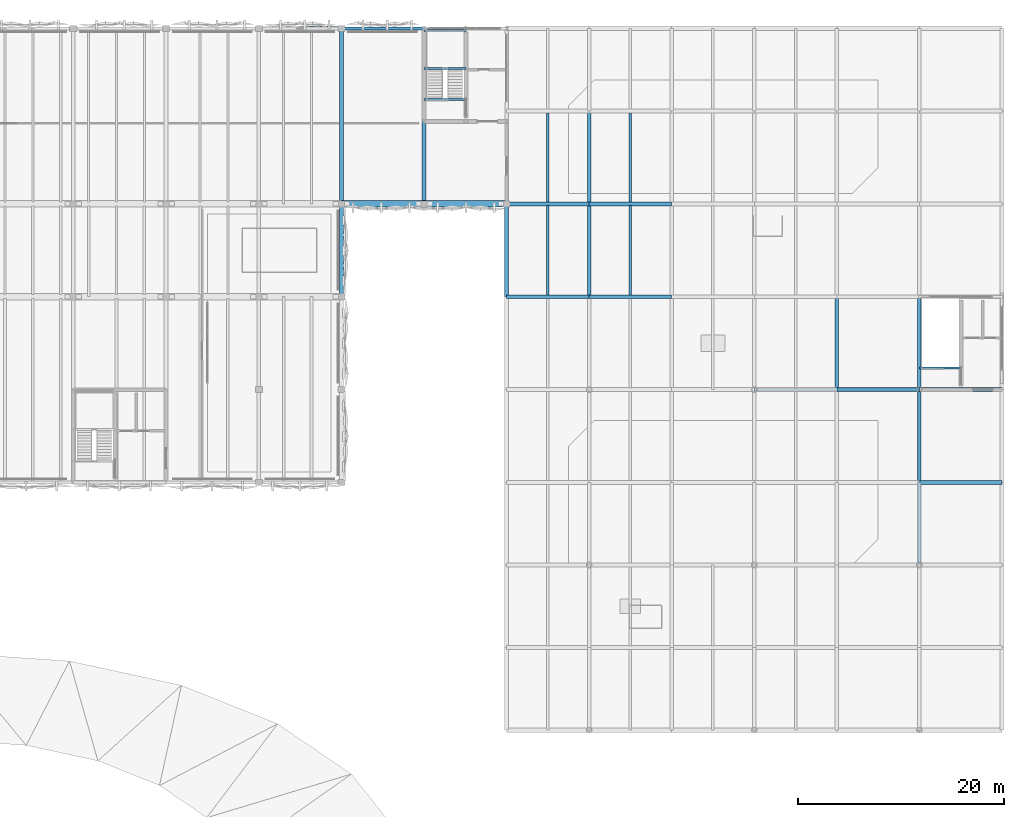
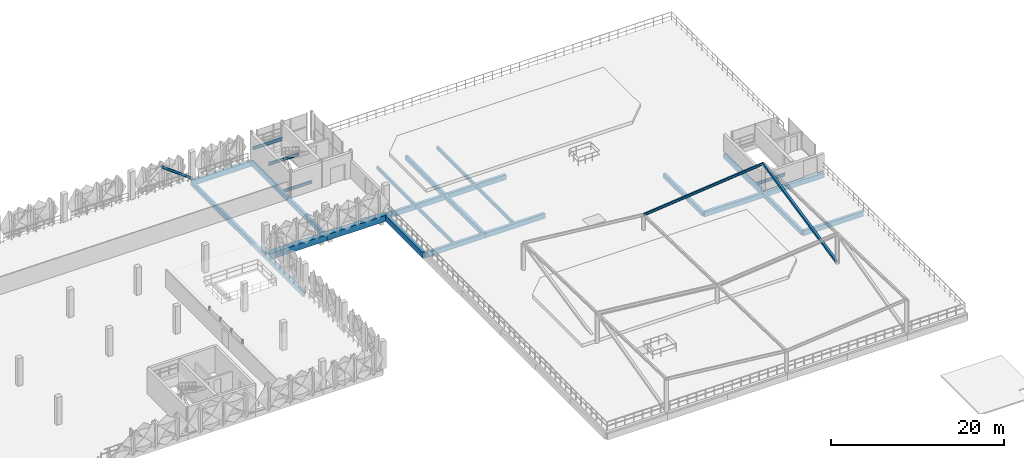
# One storey, part 15 of 52: 28 beams, 2 members.
"""IFC4 building model written with IfcOpenShell, lengths in metres."""

from ifc_helpers import new_model, si_unit, derived_unit, direction, frame, origin, origin_2d, place, context, subcontext, project, spatial, rectangle, hollow_rectangle, hollow_circle, i_section, extrude, material, material_profile, profile_set, type_object, element, save


model = new_model("IFC4")

# Units and contexts
model_context = context("Model", 3, precision=1e-05, world=origin(), true_north=direction((0.0, 1.0)))
body_context = subcontext(model_context, "Body", "Model", "MODEL_VIEW")
ifc_project = project(units=[si_unit("LENGTHUNIT", "METRE"), si_unit("AREAUNIT", "SQUARE_METRE"), si_unit("VOLUMEUNIT", "CUBIC_METRE"), si_unit("PLANEANGLEUNIT", "RADIAN"), si_unit("MASSUNIT", "GRAM", prefix="KILO"), si_unit("THERMODYNAMICTEMPERATUREUNIT", "KELVIN"), derived_unit("THERMALTRANSMITTANCEUNIT", [(si_unit("POWERUNIT", "WATT"), 1), (si_unit("AREAUNIT", "SQUARE_METRE"), -1), (si_unit("THERMODYNAMICTEMPERATUREUNIT", "KELVIN"), -1)])], contexts=[model_context])

# Site, building, storey
site_placement = place(None, origin())
site = spatial("IfcSite", under=ifc_project, at=site_placement, CompositionType="ELEMENT")
building_placement = place(site_placement, origin())
building = spatial("IfcBuilding", under=site, at=building_placement, Name="Haiyu Intermodal Mobility Hub", CompositionType="ELEMENT")
storey_placement = place(building_placement, frame((0.0, 0.0, 21.199951171875)))
storey = spatial("IfcBuildingStorey", under=building, at=storey_placement, Name="L05", CompositionType="ELEMENT", Elevation=21.199951171875)

# Beams
ifc_material_1 = material(Name="Concrete C40", Category="concrete")
ifc_material_profile_1 = material_profile(ifc_material_1, rectangle(XDim=0.35009765625, YDim=0.64990234375, at=origin_2d()), Name="RCB350x650")
ifc_profile_set_1 = profile_set([ifc_material_profile_1], Name="Concrete C40")
beam_type_1 = type_object("IfcBeamType", Name="BM-CB04", PredefinedType="BEAM", material=ifc_profile_set_1)
beam_1_placement = place(storey_placement, frame((146.0, 122.0, -0.599853515625), z_axis=(0.0, 1.0, 0.0), x_axis=(-1.0, 0.0, 0.0)))
element("IfcBeam", 1, at=beam_1_placement, inside=storey, type_object=beam_type_1, Name="BM-V4E-L05-040", PredefinedType="BEAM", context=body_context, shape_type="SweptSolid", body=[
    extrude(rectangle(XDim=0.35009765625, YDim=0.64990234375, at=origin_2d()), origin(), (0.0, 0.0, 1.0), 9.0),
])
for number, where, z_axis, x_axis, name in (
    (2, (146.0, 131.0, -0.599853515625), (0.0, 1.0, 0.0), (-1.0, 0.0, 0.0), "BM-V4E-L05-041"),
    (3, (154.0, 131.0, -0.599853515625), (0.0, 1.0, 0.0), (-1.0, 0.0, 0.0), "BM-V4E-L05-042"),
):
    element("IfcBeam", number, at=place(storey_placement, frame(where, z_axis=z_axis, x_axis=x_axis)), inside=storey, type_object=beam_type_1, Name=name, PredefinedType="BEAM", context=body_context, shape_type="SweptSolid", body=[
        extrude(rectangle(XDim=0.35009765625, YDim=0.64990234375, at=origin_2d()), origin(), (0.0, 0.0, 1.0), 17.0),
    ])
ifc_material_profile_2 = material_profile(ifc_material_1, rectangle(XDim=0.39990234375, YDim=0.800048828125, at=origin_2d()), Name="RCB400x800")
ifc_profile_set_2 = profile_set([ifc_material_profile_2], Name="Concrete C40")
beam_type_2 = type_object("IfcBeamType", Name="BM-CB05", PredefinedType="BEAM", material=ifc_profile_set_2)
beam_2_placement = place(storey_placement, frame((162.0, 122.0, -0.699951171875), z_axis=(0.0, 1.0, 0.0), x_axis=(-1.0, 0.0, 0.0)))
element("IfcBeam", 4, at=beam_2_placement, inside=storey, type_object=beam_type_2, Name="BM-V6T-L05-006", PredefinedType="BEAM", context=body_context, shape_type="SweptSolid", body=[
    extrude(rectangle(XDim=0.39990234375, YDim=0.800048828125, at=origin_2d()), origin(), (0.0, 0.0, 1.0), 9.0),
])
ifc_material_profile_3 = material_profile(ifc_material_1, rectangle(XDim=0.3798828125, YDim=0.679931640625, at=origin_2d()), Name="B380x680")
ifc_profile_set_3 = profile_set([ifc_material_profile_3], Name="Concrete C40")
beam_type_3 = type_object("IfcBeamType", Name="BM-CB15", PredefinedType="BEAM", material=ifc_profile_set_3)
for number, where, z_axis, x_axis, name in (
    (5, (202.0, 104.0, -0.639892578125), (1.0, 0.0, 0.0), (0.0, 1.0, 0.0), "BM-V6G-L05-024"),
    (6, (194.0, 113.0, -0.639892578125), (1.0, 0.0, 0.0), (0.0, 1.0, 0.0), "BM-V6G-L05-029"),
    (7, (202.0, 113.0, -0.639892578125), (1.0, 0.0, 0.0), (0.0, 1.0, 0.0), "BM-V6G-L05-030"),
    (8, (162.0, 122.0, -0.639892578125), (1.0, 0.0, 0.0), (0.0, 1.0, 0.0), "BM-V6G-L05-031"),
    (9, (170.0, 122.0, -0.639892578125), (1.0, 0.0, 0.0), (0.0, 1.0, 0.0), "BM-V6G-L05-032"),
    (10, (162.0, 131.0, -0.639892578125), (1.0, 0.0, 0.0), (0.0, 1.0, 0.0), "BM-V6G-L05-037"),
    (11, (170.0, 131.0, -0.639892578125), (1.0, 0.0, 0.0), (0.0, 1.0, 0.0), "BM-V6G-L05-038"),
):
    element("IfcBeam", number, at=place(storey_placement, frame(where, z_axis=z_axis, x_axis=x_axis)), inside=storey, type_object=beam_type_3, Name=name, PredefinedType="BEAM", context=body_context, shape_type="SweptSolid", body=[
        extrude(rectangle(XDim=0.3798828125, YDim=0.679931640625, at=origin_2d()), origin(), (0.0, 0.0, 1.0), 8.0),
    ])
ifc_material_profile_4 = material_profile(ifc_material_1, rectangle(XDim=0.360107421875, YDim=0.6201171875, at=origin_2d()), Name="B360x620")
ifc_profile_set_4 = profile_set([ifc_material_profile_4], Name="Concrete C40")
beam_type_4 = type_object("IfcBeamType", Name="BM-CB16", PredefinedType="BEAM", material=ifc_profile_set_4)
for number, where, z_axis, x_axis, name in (
    (12, (170.0, 122.0, -0.60986328125), (0.0, 1.0, 0.0), (-1.0, 0.0, 0.0), "BM-V6T-L05-014"),
    (13, (170.0, 131.0, -0.60986328125), (0.0, 1.0, 0.0), (-1.0, 0.0, 0.0), "BM-V6T-L05-015"),
    (14, (194.0, 113.0, -0.60986328125), (0.0, 1.0, 0.0), (-1.0, 0.0, 0.0), "BM-V6T-L05-037"),
    (15, (202.0, 104.0, -0.60986328125), (0.0, 1.0, 0.0), (-1.0, 0.0, 0.0), "BM-V6T-L05-044"),
    (16, (202.0, 113.0, -0.60986328125), (0.0, 1.0, 0.0), (-1.0, 0.0, 0.0), "BM-V6T-L05-045"),
):
    element("IfcBeam", number, at=place(storey_placement, frame(where, z_axis=z_axis, x_axis=x_axis)), inside=storey, type_object=beam_type_4, Name=name, PredefinedType="BEAM", context=body_context, shape_type="SweptSolid", body=[
        extrude(rectangle(XDim=0.360107421875, YDim=0.6201171875, at=origin_2d()), origin(), (0.0, 0.0, 1.0), 9.0),
    ])
ifc_material_profile_5 = material_profile(ifc_material_1, rectangle(XDim=0.239990234375, YDim=0.43994140625, at=origin_2d()), Name="B240x440")
ifc_profile_set_5 = profile_set([ifc_material_profile_5], Name="Concrete C40")
beam_type_5 = type_object("IfcBeamType", Name="BM-CB19", PredefinedType="JOIST", material=ifc_profile_set_5)
for number, where, z_axis, x_axis, name in (
    (17, (166.0, 122.175048828125, -0.52001953125), (0.0, 1.0, 0.0), (-1.0, 0.0, 0.0), "BM-V6J-L05-006"),
    (18, (166.0, 131.175048828125, -0.52001953125), (0.0, 1.0, 0.0), (-1.0, 0.0, 0.0), "BM-V6J-L05-007"),
    (19, (174.0, 122.175048828125, -0.52001953125), (0.0, 1.0, 0.0), (-1.0, 0.0, 0.0), "BM-V6J-L05-014"),
    (20, (174.0, 131.175048828125, -0.52001953125), (0.0, 1.0, 0.0), (-1.0, 0.0, 0.0), "BM-V6J-L05-015"),
):
    element("IfcBeam", number, at=place(storey_placement, frame(where, z_axis=z_axis, x_axis=x_axis)), inside=storey, type_object=beam_type_5, Name=name, PredefinedType="JOIST", context=body_context, shape_type="SweptSolid", body=[
        extrude(rectangle(XDim=0.239990234375, YDim=0.43994140625, at=origin_2d()), origin(), (0.0, 0.0, 1.0), 8.64990234375),
    ])
ifc_material_2 = material(Name="Precast concrete C50", Category="concrete")
ifc_material_profile_6 = material_profile(ifc_material_2, rectangle(XDim=0.64990234375, YDim=0.85009765625, at=origin_2d()), Name="PC650x850")
ifc_profile_set_6 = profile_set([ifc_material_profile_6], Name="Precast concrete C50")
beam_type_6 = type_object("IfcBeamType", Name="BM-IT03", PredefinedType="T_BEAM", material=ifc_profile_set_6)
for number, where, z_axis, x_axis, name in (
    (21, (146.0, 131.0, -0.699951171875), (1.0, 0.0, 0.0), (0.0, 1.0, 0.0), "BM-V4G-L05-039"),
    (22, (154.0, 131.0, -0.699951171875), (1.0, 0.0, 0.0), (0.0, 1.0, 0.0), "BM-V4G-L05-040"),
):
    element("IfcBeam", number, at=place(storey_placement, frame(where, z_axis=z_axis, x_axis=x_axis)), inside=storey, type_object=beam_type_6, Name=name, PredefinedType="T_BEAM", context=body_context, shape_type="SweptSolid", body=[
        extrude(rectangle(XDim=0.64990234375, YDim=0.85009765625, at=origin_2d()), origin(), (0.0, 0.0, 1.0), 8.0),
    ])
ifc_material_3 = material(Name="Steel Q355C", Category="steel")
ifc_material_profile_7 = material_profile(ifc_material_3, i_section(OverallWidth=0.199951171875, OverallDepth=0.39990234375, WebThickness=0.008056640625, FlangeThickness=0.012939453125, FilletRadius=0.01611328125, at=origin_2d()), Name="HN400x200x8x13")
ifc_profile_set_7 = profile_set([ifc_material_profile_7], Name="Steel Q355C")
beam_type_7 = type_object("IfcBeamType", Name="BM-SB08", PredefinedType="JOIST", material=ifc_profile_set_7)
for number, where, z_axis, x_axis, name in (
    (23, (154.0, 141.10009765625, -0.52490234375), (1.0, 0.0, 0.0), (0.0, 1.0, 0.0), "Stair Arrival Trimmer Beam C4-L04"),
    (24, (154.0, 144.1298828125, 1.525146484375), (1.0, 0.0, 0.0), (0.0, 1.0, 0.0), "Stair Half-Landing Front Beam C4-L05"),
    (25, (154.0, 147.780029296875, 1.525146484375), (1.0, 0.0, 0.0), (0.0, 1.0, 0.0), "Stair Half-Landing Rear Beam C4-L05"),
    (26, (202.0, 115.10009765625, -0.52490234375), (1.0, 0.0, 0.0), (0.0, 1.0, 0.0), "Stair Arrival Trimmer Beam C10-L04"),
):
    element("IfcBeam", number, at=place(storey_placement, frame(where, z_axis=z_axis, x_axis=x_axis)), inside=storey, type_object=beam_type_7, Name=name, PredefinedType="JOIST", context=body_context, shape_type="SweptSolid", body=[
        extrude(i_section(OverallWidth=0.199951171875, OverallDepth=0.39990234375, WebThickness=0.008056640625, FlangeThickness=0.012939453125, FilletRadius=0.01611328125, at=origin_2d()), origin(), (0.0, 0.0, 1.0), 4.050048828125),
    ])
ifc_material_profile_8 = material_profile(ifc_material_3, i_section(OverallWidth=0.175048828125, OverallDepth=0.35009765625, WebThickness=0.007080078125, FlangeThickness=0.010986328125, FilletRadius=0.013916015625, at=origin_2d()), Name="HN350x175x7x11")
ifc_profile_set_8 = profile_set([ifc_material_profile_8], Name="Steel Q355C")
beam_type_8 = type_object("IfcBeamType", Name="BM-SB09", PredefinedType="JOIST", material=ifc_profile_set_8)
beam_3_placement = place(storey_placement, frame((186.0, 113.0, 2.06005859375), z_axis=(0.994725276124, 0.0, 0.102574972779), x_axis=(0.0, 1.0, 0.0)))
element("IfcBeam", 27, at=beam_3_placement, inside=storey, type_object=beam_type_8, Name="BM-V6FP-L05-012", PredefinedType="JOIST", context=body_context, shape_type="SweptSolid", body=[
    extrude(i_section(OverallWidth=0.175048828125, OverallDepth=0.35009765625, WebThickness=0.007080078125, FlangeThickness=0.010986328125, FilletRadius=0.013916015625, at=origin_2d()), origin(), (0.0, 0.0, 1.0), 16.0849609375),
])
ifc_material_4 = material(Name="Precast concrete C40", Category="concrete")
ifc_material_profile_9 = material_profile(ifc_material_4, rectangle(XDim=0.280029296875, YDim=0.739990234375, at=origin_2d()), Name="B280x740")
ifc_profile_set_9 = profile_set([ifc_material_profile_9], Name="Precast concrete C40")
beam_type_9 = type_object("IfcBeamType", Name="BM-SP05", PredefinedType="SPANDREL", material=ifc_profile_set_9)
beam_4_placement = place(storey_placement, frame((146.0, 148.0, -0.64501953125), z_axis=(1.0, 0.0, 0.0), x_axis=(0.0, 1.0, 0.0)))
element("IfcBeam", 28, at=beam_4_placement, inside=storey, type_object=beam_type_9, Name="BM-V4G-L05-055", PredefinedType="SPANDREL", context=body_context, shape_type="SweptSolid", body=[
    extrude(rectangle(XDim=0.280029296875, YDim=0.739990234375, at=origin_2d()), origin(), (0.0, 0.0, 1.0), 8.0),
])

# Members
ifc_material_profile_10 = material_profile(ifc_material_3, hollow_circle(Radius=0.177978515625, WallThickness=0.011962890625, at=origin_2d()), Name="CHS356x12")
ifc_profile_set_10 = profile_set([ifc_material_profile_10], Name="Steel Q355C")
member_type_1 = type_object("IfcMemberType", Name="MEM-BR01", PredefinedType="BRACE", material=ifc_profile_set_10)
member_1_placement = place(storey_placement, frame((146.0, 148.0, 0.0), z_axis=(-0.8, 0.0, 0.6), x_axis=(0.0, -1.0, 0.0)))
element("IfcMember", 29, at=member_1_placement, inside=storey, type_object=member_type_1, Name="Seismic Chevron Brace B3-L05-B", PredefinedType="BRACE", context=body_context, shape_type="SweptSolid", body=[
    extrude(hollow_circle(Radius=0.177978515625, WallThickness=0.011962890625, at=origin_2d()), origin(), (0.0, 0.0, 1.0), 5.0),
])
ifc_material_profile_11 = material_profile(ifc_material_3, hollow_rectangle(XDim=0.300048828125, YDim=0.300048828125, WallThickness=0.011962890625, at=origin_2d()), Name="SHS300x300x12")
ifc_profile_set_11 = profile_set([ifc_material_profile_11], Name="Steel Q355C")
member_type_2 = type_object("IfcMemberType", Name="MEM-BR04", PredefinedType="BRACE", material=ifc_profile_set_11)
member_2_placement = place(storey_placement, frame((202.0, 96.159912109375, 0.10009765625), z_axis=(0.0, 0.977973438322, 0.208729379667), x_axis=(-1.0, 0.0, 0.0)))
element("IfcMember", 30, at=member_2_placement, inside=storey, type_object=member_type_2, Name="Canopy Fold V-Strut L05-006", PredefinedType="BRACE", context=body_context, shape_type="SweptSolid", body=[
    extrude(hollow_rectangle(XDim=0.300048828125, YDim=0.300048828125, WallThickness=0.011962890625, at=origin_2d()), origin(), (0.0, 0.0, 1.0), 17.055908203125),
])

save(model, "model.ifc")
